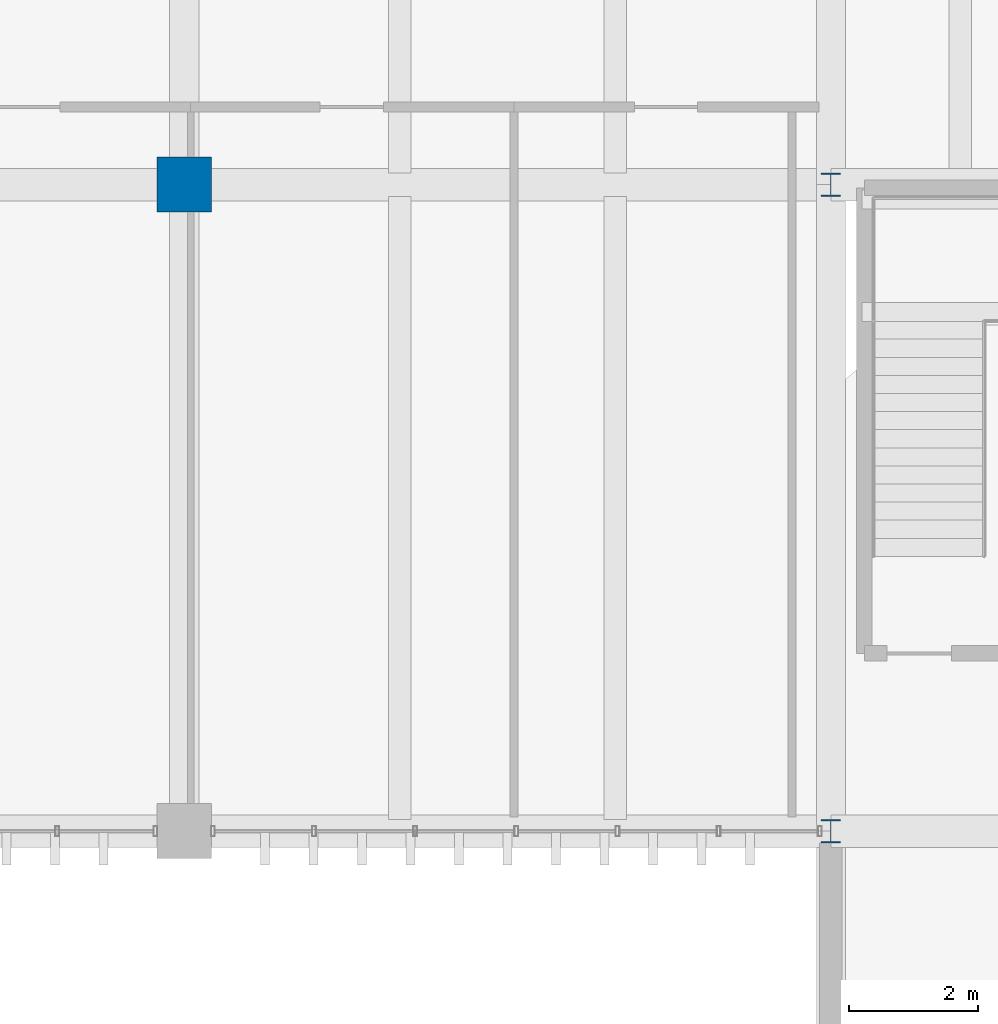
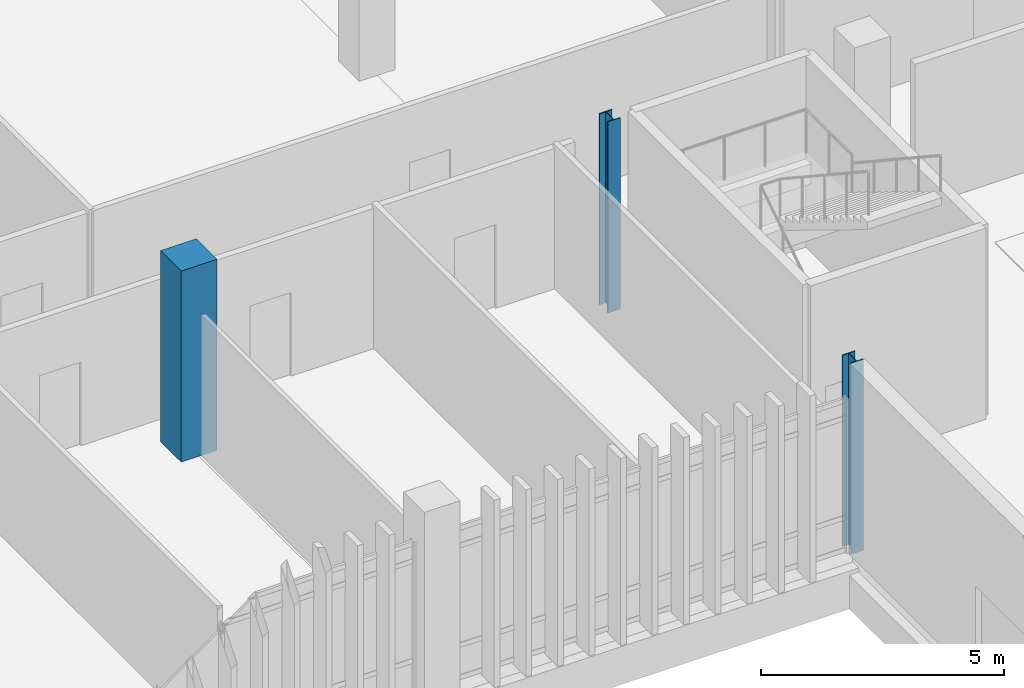
# One storey, part 2 of 87: 3 columns.
"""IFC4 building model written with IfcOpenShell, lengths in metres."""

from ifc_helpers import new_model, si_unit, direction, frame, origin, origin_2d, place, context, subcontext, project, spatial, rectangle, i_section, extrude, material, material_profile, profile_set, type_object, element, save


model = new_model("IFC4")

# Units and contexts
model_context = context("Model", 3, precision=1e-05, world=origin(), true_north=direction((0.0, 1.0)))
body_context = subcontext(model_context, "Body", "Model", "MODEL_VIEW")
ifc_project = project(units=[si_unit("LENGTHUNIT", "METRE"), si_unit("AREAUNIT", "SQUARE_METRE"), si_unit("VOLUMEUNIT", "CUBIC_METRE"), si_unit("PLANEANGLEUNIT", "RADIAN"), si_unit("MASSUNIT", "GRAM", prefix="KILO")], contexts=[model_context])

# Site, building, storey
site_placement = place(None, origin())
site = spatial("IfcSite", under=ifc_project, at=site_placement, CompositionType="ELEMENT")
building_placement = place(site_placement, origin())
building = spatial("IfcBuilding", under=site, at=building_placement, Name="Mersad Railyard Sports Hall", CompositionType="ELEMENT")
storey_placement = place(building_placement, origin())
storey = spatial("IfcBuildingStorey", under=building, at=storey_placement, Name="L00", CompositionType="ELEMENT", Elevation=0.0)

# Columns
ifc_material_1 = material(Name="Concrete C50/60", Category="concrete")
ifc_material_profile_1 = material_profile(ifc_material_1, rectangle(XDim=0.85009765625, YDim=0.85009765625, at=origin_2d()), Name="RC 850x850")
ifc_profile_set_1 = profile_set([ifc_material_profile_1], Name="Concrete C50/60")
column_type_1 = type_object("IfcColumnType", Name="STR-COL-C02", PredefinedType="COLUMN", material=ifc_profile_set_1)
column_placement = place(storey_placement, frame((121.0, 95.0, 0.0), z_axis=(0.0, 0.0, 1.0), x_axis=(1.0, 0.0, 0.0)))
element("IfcColumn", 1, at=column_placement, inside=storey, type_object=column_type_1, Name="Column C02 L00 (121.0,95.0)", PredefinedType="COLUMN", context=body_context, shape_type="SweptSolid", body=[
    extrude(rectangle(XDim=0.85009765625, YDim=0.85009765625, at=origin_2d()), origin(), (0.0, 0.0, 1.0), 4.800048828125),
])
ifc_material_2 = material(Name="Steel S355", Category="steel")
ifc_material_profile_2 = material_profile(ifc_material_2, i_section(OverallWidth=0.300048828125, OverallDepth=0.360107421875, WebThickness=0.012451171875, FlangeThickness=0.0224609375, at=origin_2d()), Name="HEB 360")
ifc_profile_set_2 = profile_set([ifc_material_profile_2], Name="Steel S355")
column_type_2 = type_object("IfcColumnType", Name="STR-COL-C11", PredefinedType="COLUMN", material=ifc_profile_set_2)
for number, where, z_axis, x_axis, name in (
    (2, (131.0, 85.0, 0.0), (0.0, 0.0, 1.0), (1.0, 0.0, 0.0), "Column C11 L00 (131.0,85.0)"),
    (3, (131.0, 95.0, 0.0), (0.0, 0.0, 1.0), (1.0, 0.0, 0.0), "Column C11 L00 (131.0,95.0)"),
):
    element("IfcColumn", number, at=place(storey_placement, frame(where, z_axis=z_axis, x_axis=x_axis)), inside=storey, type_object=column_type_2, Name=name, PredefinedType="COLUMN", context=body_context, shape_type="SweptSolid", body=[
        extrude(i_section(OverallWidth=0.300048828125, OverallDepth=0.360107421875, WebThickness=0.012451171875, FlangeThickness=0.0224609375, at=origin_2d()), origin(), (0.0, 0.0, 1.0), 4.800048828125),
    ])

save(model, "model.ifc")
